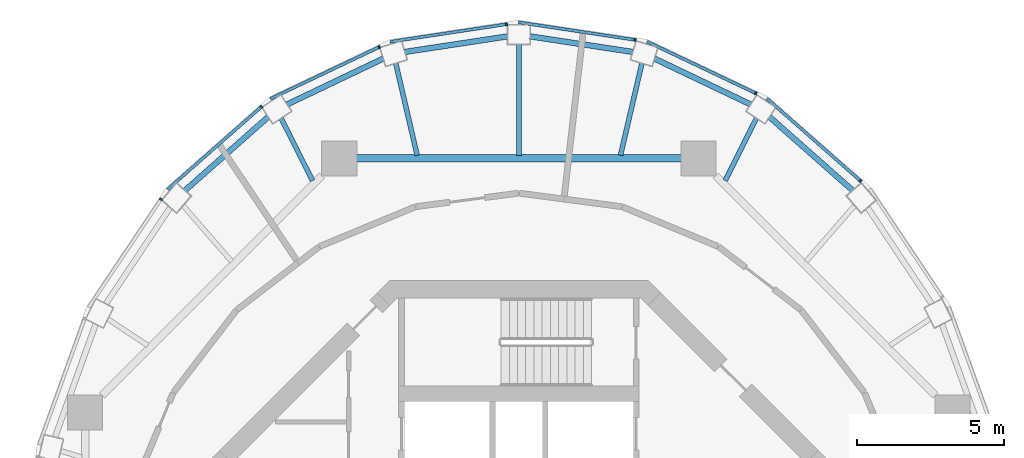
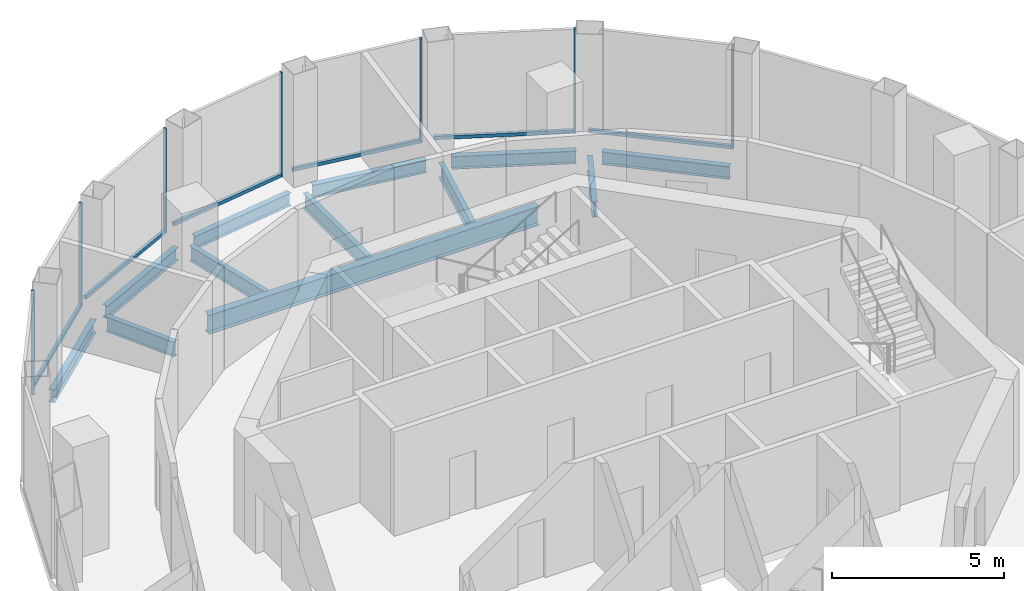
# One storey, part 6 of 12: 13 members, 12 beams, 7 elements without a shape of their own.
"""IFC4 building model written with IfcOpenShell, lengths in metres."""

from ifc_helpers import new_model, si_unit, direction, frame, origin, origin_2d, place, context, subcontext, project, spatial, rectangle, i_section, extrude, material, layer, layer_set, material_profile, profile_set, type_object, element, aggregate, save


model = new_model("IFC4")

# Units and contexts
model_context = context("Model", 3, precision=1e-05, world=origin(), true_north=direction((0.0, 1.0)))
body_context = subcontext(model_context, "Body", "Model", "MODEL_VIEW")
ifc_project = project(units=[si_unit("LENGTHUNIT", "METRE"), si_unit("AREAUNIT", "SQUARE_METRE"), si_unit("VOLUMEUNIT", "CUBIC_METRE"), si_unit("PLANEANGLEUNIT", "RADIAN"), si_unit("MASSUNIT", "GRAM", prefix="KILO")], contexts=[model_context])

# Site, building, storey
site_placement = place(None, origin())
site = spatial("IfcSite", under=ifc_project, at=site_placement, CompositionType="ELEMENT")
building_placement = place(site_placement, origin())
building = spatial("IfcBuilding", under=site, at=building_placement, Name="Nagisa Residences", CompositionType="ELEMENT")
storey_placement = place(building_placement, frame((0.0, 0.0, 328.89990234375)))
storey = spatial("IfcBuildingStorey", under=building, at=storey_placement, Name="L81", CompositionType="ELEMENT", Elevation=328.89990234375)

# Curtain wall, member
ifc_material_1 = material(Name="Aluminium curtain wall system", Category="aluminium")
ifc_layer = layer(ifc_material_1, 0.159912109375)
ifc_layer_set = layer_set([ifc_layer], Name="CW5 CURTAIN WALL")
curtain_wall_type = type_object("IfcCurtainWallType", Name="CW5 CURTAIN WALL", PredefinedType="NOTDEFINED", material=ifc_layer_set)
curtain_wall_1_placement = place(storey_placement, origin())
curtain_wall_1 = element("IfcCurtainWall", 1, at=curtain_wall_1_placement, inside=storey, type_object=curtain_wall_type, Name="cw:CW5:L81:03", PredefinedType="NOTDEFINED")
ifc_material_2 = material(Name="Aluminium", Category="aluminium")
ifc_material_profile_1 = material_profile(ifc_material_2, rectangle(XDim=0.10009765625, YDim=0.06005859375, at=origin_2d()), Name="CW5 MULLION 100x60")
ifc_profile_set_1 = profile_set([ifc_material_profile_1], Name="Aluminium")
member_type_1 = type_object("IfcMemberType", Name="CW5 MULLION 100x60", PredefinedType="MULLION", material=ifc_profile_set_1)
member_1_placement = place(storey_placement, frame((11.645263671875, 14.0126953125, 0.0), z_axis=(0.0, 0.0, 1.0), x_axis=(-0.660699467703, -0.750650526795, 0.0)))
member_1 = element("IfcMember", 2, at=member_1_placement, type_object=member_type_1, Name="CW5 mullion", PredefinedType="MULLION", context=body_context, shape_type="SweptSolid", body=[
    extrude(rectangle(XDim=0.10009765625, YDim=0.06005859375, at=origin_2d()), origin(), (0.0, 0.0, 1.0), 3.7001953125),
])

curtain_wall_2_placement = place(storey_placement, origin())
curtain_wall_2 = element("IfcCurtainWall", 3, at=curtain_wall_2_placement, inside=storey, type_object=curtain_wall_type, Name="cw:CW5:L81:04", PredefinedType="NOTDEFINED")
member_2_placement = place(storey_placement, frame((8.077392578125, 16.999755859375, 0.0), z_axis=(0.0, 0.0, 1.0), x_axis=(-0.429150642757, -0.903232929992, 0.0)))
member_2 = element("IfcMember", 4, at=member_2_placement, type_object=member_type_1, Name="CW5 mullion", PredefinedType="MULLION", context=body_context, shape_type="SweptSolid", body=[
    extrude(rectangle(XDim=0.10009765625, YDim=0.06005859375, at=origin_2d()), origin(), (0.0, 0.0, 1.0), 3.7001953125),
])

curtain_wall_3_placement = place(storey_placement, origin())
curtain_wall_3 = element("IfcCurtainWall", 5, at=curtain_wall_3_placement, inside=storey, type_object=curtain_wall_type, Name="cw:CW5:L81:05", PredefinedType="NOTDEFINED")
member_3_placement = place(storey_placement, frame((3.962890625, 18.820556640625, 0.0), z_axis=(0.0, 0.0, 1.0), x_axis=(-0.149320135997, -0.988788904158, 0.0)))
member_3 = element("IfcMember", 6, at=member_3_placement, type_object=member_type_1, Name="CW5 mullion", PredefinedType="MULLION", context=body_context, shape_type="SweptSolid", body=[
    extrude(rectangle(XDim=0.10009765625, YDim=0.06005859375, at=origin_2d()), origin(), (0.0, 0.0, 1.0), 3.7001953125),
])

curtain_wall_4_placement = place(storey_placement, origin())
curtain_wall_4 = element("IfcCurtainWall", 7, at=curtain_wall_4_placement, inside=storey, type_object=curtain_wall_type, Name="cw:CW5:L81:06", PredefinedType="NOTDEFINED")
member_4_placement = place(storey_placement, frame((-0.413330078125, 19.356689453125, 0.0), z_axis=(0.0, 0.0, 1.0), x_axis=(0.149320135997, -0.988788904158, 0.0)))
member_4 = element("IfcMember", 8, at=member_4_placement, type_object=member_type_1, Name="CW5 mullion", PredefinedType="MULLION", context=body_context, shape_type="SweptSolid", body=[
    extrude(rectangle(XDim=0.10009765625, YDim=0.06005859375, at=origin_2d()), origin(), (0.0, 0.0, 1.0), 3.7001953125),
])

curtain_wall_5_placement = place(storey_placement, origin())
curtain_wall_5 = element("IfcCurtainWall", 9, at=curtain_wall_5_placement, inside=storey, type_object=curtain_wall_type, Name="cw:CW5:L81:07", PredefinedType="NOTDEFINED")
member_5_placement = place(storey_placement, frame((-4.75390625, 18.578857421875, 0.0), z_axis=(0.0, 0.0, 1.0), x_axis=(0.429150642757, -0.903232929992, 0.0)))
member_5 = element("IfcMember", 10, at=member_5_placement, type_object=member_type_1, Name="CW5 mullion", PredefinedType="MULLION", context=body_context, shape_type="SweptSolid", body=[
    extrude(rectangle(XDim=0.10009765625, YDim=0.06005859375, at=origin_2d()), origin(), (0.0, 0.0, 1.0), 3.7001953125),
])

curtain_wall_6_placement = place(storey_placement, origin())
curtain_wall_6 = element("IfcCurtainWall", 11, at=curtain_wall_6_placement, inside=storey, type_object=curtain_wall_type, Name="cw:CW5:L81:08", PredefinedType="NOTDEFINED")
member_6_placement = place(storey_placement, frame((-8.77001953125, 16.54345703125, 0.0), z_axis=(0.0, 0.0, 1.0), x_axis=(0.660699467703, -0.750650526795, 0.0)))
member_6 = element("IfcMember", 12, at=member_6_placement, type_object=member_type_1, Name="CW5 mullion", PredefinedType="MULLION", context=body_context, shape_type="SweptSolid", body=[
    extrude(rectangle(XDim=0.10009765625, YDim=0.06005859375, at=origin_2d()), origin(), (0.0, 0.0, 1.0), 3.7001953125),
])

curtain_wall_7_placement = place(storey_placement, origin())
curtain_wall_7 = element("IfcCurtainWall", 13, at=curtain_wall_7_placement, inside=storey, type_object=curtain_wall_type, Name="cw:CW5:L81:09", PredefinedType="NOTDEFINED")
member_7_placement = place(storey_placement, frame((-12.193359375, 13.38671875, 0.0), z_axis=(0.0, 0.0, 1.0), x_axis=(0.831172662415, -0.556014393027, 0.0)))
member_7 = element("IfcMember", 14, at=member_7_placement, type_object=member_type_1, Name="CW5 mullion", PredefinedType="MULLION", context=body_context, shape_type="SweptSolid", body=[
    extrude(rectangle(XDim=0.10009765625, YDim=0.06005859375, at=origin_2d()), origin(), (0.0, 0.0, 1.0), 3.7001953125),
])
aggregate(curtain_wall_7, [member_7])

# Member
ifc_material_3 = material(Name="Aluminium", Category="aluminium")
ifc_material_profile_2 = material_profile(ifc_material_3, rectangle(XDim=0.10009765625, YDim=0.1201171875, at=origin_2d()), Name="CW5 TRANSOM 100x120")
ifc_profile_set_2 = profile_set([ifc_material_profile_2], Name="Aluminium")
member_type_2 = type_object("IfcMemberType", Name="CW5 TRANSOM 100x120", PredefinedType="USERDEFINED", material=ifc_profile_set_2)
member_8_placement = place(storey_placement, frame((11.667724609375, 13.992919921875, 0.06005859375), z_axis=(-0.750659327094, 0.660689469151, 0.0), x_axis=(-0.660689469151, -0.750659327094, 0.0)))
member_8 = element("IfcMember", 15, at=member_8_placement, type_object=member_type_2, Name="CW5 transom", ObjectType="TRANSOM", PredefinedType="USERDEFINED", context=body_context, shape_type="SweptSolid", body=[
    extrude(rectangle(XDim=0.10009765625, YDim=0.1201171875, at=origin_2d()), origin(), (0.0, 0.0, 1.0), 4.290283203125),
])

aggregate(curtain_wall_1, [member_1, member_8])

member_9_placement = place(storey_placement, frame((8.1044921875, 16.98681640625, 0.06005859375), z_axis=(-0.903246073132, 0.429122979309, 0.0), x_axis=(-0.429122979309, -0.903246073132, 0.0)))
member_9 = element("IfcMember", 16, at=member_9_placement, type_object=member_type_2, Name="CW5 transom", ObjectType="TRANSOM", PredefinedType="USERDEFINED", context=body_context, shape_type="SweptSolid", body=[
    extrude(rectangle(XDim=0.10009765625, YDim=0.1201171875, at=origin_2d()), origin(), (0.0, 0.0, 1.0), 4.1396484375),
])

aggregate(curtain_wall_2, [member_2, member_9])

member_10_placement = place(storey_placement, frame((3.992431640625, 18.816162109375, 0.06005859375), z_axis=(-0.988788172803, 0.149324978907, 0.0), x_axis=(-0.149324978907, -0.988788172803, 0.0)))
member_10 = element("IfcMember", 17, at=member_10_placement, type_object=member_type_2, Name="CW5 transom", ObjectType="TRANSOM", PredefinedType="USERDEFINED", context=body_context, shape_type="SweptSolid", body=[
    extrude(rectangle(XDim=0.10009765625, YDim=0.1201171875, at=origin_2d()), origin(), (0.0, 0.0, 1.0), 4.0498046875),
])

aggregate(curtain_wall_3, [member_3, member_10])

member_11_placement = place(storey_placement, frame((-0.383544921875, 19.361083984375, 0.06005859375), z_axis=(-0.988788172803, -0.149324978907, 0.0), x_axis=(0.149324978907, -0.988788172803, 0.0)))
member_11 = element("IfcMember", 18, at=member_11_placement, type_object=member_type_2, Name="CW5 transom", ObjectType="TRANSOM", PredefinedType="USERDEFINED", context=body_context, shape_type="SweptSolid", body=[
    extrude(rectangle(XDim=0.10009765625, YDim=0.1201171875, at=origin_2d()), origin(), (0.0, 0.0, 1.0), 4.0498046875),
])

aggregate(curtain_wall_4, [member_4, member_11])

member_12_placement = place(storey_placement, frame((-4.726806640625, 18.591552734375, 0.06005859375), z_axis=(-0.903235211694, -0.429145840426, 0.0), x_axis=(0.429145840426, -0.903235211694, 0.0)))
member_12 = element("IfcMember", 19, at=member_12_placement, type_object=member_type_2, Name="CW5 transom", ObjectType="TRANSOM", PredefinedType="USERDEFINED", context=body_context, shape_type="SweptSolid", body=[
    extrude(rectangle(XDim=0.10009765625, YDim=0.1201171875, at=origin_2d()), origin(), (0.0, 0.0, 1.0), 4.139404296875),
])

aggregate(curtain_wall_5, [member_5, member_12])

member_13_placement = place(storey_placement, frame((-8.747314453125, 16.563232421875, 0.06005859375), z_axis=(-0.750655944686, -0.66069331214, 0.0), x_axis=(0.66069331214, -0.750655944686, 0.0)))
member_13 = element("IfcMember", 20, at=member_13_placement, type_object=member_type_2, Name="CW5 transom", ObjectType="TRANSOM", PredefinedType="USERDEFINED", context=body_context, shape_type="SweptSolid", body=[
    extrude(rectangle(XDim=0.10009765625, YDim=0.1201171875, at=origin_2d()), origin(), (0.0, 0.0, 1.0), 4.29052734375),
])

aggregate(curtain_wall_6, [member_6, member_13])

# Beams
ifc_material_4 = material(Name="Steel ASTM A572 Gr 50", Category="steel")
ifc_material_profile_3 = material_profile(ifc_material_4, i_section(OverallWidth=0.2529296875, OverallDepth=0.677978515625, WebThickness=0.01171875, FlangeThickness=0.016357421875, at=origin_2d()), Name="W690x125")
ifc_profile_set_3 = profile_set([ifc_material_profile_3], Name="Steel ASTM A572 Gr 50")
beam_type_1 = type_object("IfcBeamType", Name="Inner ring beam W690x125", PredefinedType="BEAM", material=ifc_profile_set_3)
beam_1_placement = place(storey_placement, frame((5.54296875, 14.781982421875, -0.638916015625), z_axis=(-1.0, 0.0, 0.0), x_axis=(0.0, -1.0, 0.0)))
element("IfcBeam", 21, at=beam_1_placement, inside=storey, type_object=beam_type_1, Name="beam:L81:ib2", PredefinedType="BEAM", context=body_context, shape_type="SweptSolid", body=[
    extrude(i_section(OverallWidth=0.2529296875, OverallDepth=0.677978515625, WebThickness=0.01171875, FlangeThickness=0.016357421875, at=origin_2d()), origin(), (0.0, 0.0, 1.0), 11.0859375),
])
ifc_material_5 = material(Name="Steel ASTM A572 Gr 50", Category="steel")
ifc_material_profile_4 = material_profile(ifc_material_5, i_section(OverallWidth=0.18994140625, OverallDepth=0.45703125, WebThickness=0.009033203125, FlangeThickness=0.014404296875, at=origin_2d()), Name="W460x74")
ifc_profile_set_4 = profile_set([ifc_material_profile_4], Name="Steel ASTM A572 Gr 50")
beam_type_2 = type_object("IfcBeamType", Name="Perimeter ring beam W460x74", PredefinedType="BEAM", material=ifc_profile_set_4)
beam_2_placement = place(storey_placement, frame((11.3798828125, 13.68896484375, -0.5283203125), z_axis=(-0.749401876552, 0.662115418503, 0.0), x_axis=(-0.662115418503, -0.749401876552, 0.0)))
element("IfcBeam", 22, at=beam_2_placement, inside=storey, type_object=beam_type_2, Name="beam:L81:pb04", PredefinedType="BEAM", context=body_context, shape_type="SweptSolid", body=[
    extrude(i_section(OverallWidth=0.18994140625, OverallDepth=0.45703125, WebThickness=0.009033203125, FlangeThickness=0.014404296875, at=origin_2d()), origin(), (0.0, 0.0, 1.0), 3.792724609375),
])
beam_3_placement = place(storey_placement, frame((7.903564453125, 16.619873046875, -0.5283203125), z_axis=(-0.902613702305, 0.430451512266, 0.0), x_axis=(-0.430451512266, -0.902613702305, 0.0)))
element("IfcBeam", 23, at=beam_3_placement, inside=storey, type_object=beam_type_2, Name="beam:L81:pb05", PredefinedType="BEAM", context=body_context, shape_type="SweptSolid", body=[
    extrude(i_section(OverallWidth=0.18994140625, OverallDepth=0.45703125, WebThickness=0.009033203125, FlangeThickness=0.014404296875, at=origin_2d()), origin(), (0.0, 0.0, 1.0), 3.640625),
])
for number, where, z_axis, x_axis, name in (
    (24, (3.890380859375, 18.41015625, -0.5283203125), (-0.988700067025, 0.149907229525, 0.0), (-0.149907229525, -0.988700067025, 0.0), "beam:L81:pb06"),
    (25, (-0.380126953125, 18.9423828125, -0.5283203125), (-0.988700067025, -0.149907229525, 0.0), (0.149907229525, -0.988700067025, 0.0), "beam:L81:pb07"),
):
    element("IfcBeam", number, at=place(storey_placement, frame(where, z_axis=z_axis, x_axis=x_axis)), inside=storey, type_object=beam_type_2, Name=name, PredefinedType="BEAM", context=body_context, shape_type="SweptSolid", body=[
        extrude(i_section(OverallWidth=0.18994140625, OverallDepth=0.45703125, WebThickness=0.009033203125, FlangeThickness=0.014404296875, at=origin_2d()), origin(), (0.0, 0.0, 1.0), 3.55029296875),
    ])
beam_4_placement = place(storey_placement, frame((-4.617431640625, 18.18701171875, -0.5283203125), z_axis=(-0.902613702305, -0.430451512266, 0.0), x_axis=(0.430451512266, -0.902613702305, 0.0)))
element("IfcBeam", 26, at=beam_4_placement, inside=storey, type_object=beam_type_2, Name="beam:L81:pb08", PredefinedType="BEAM", context=body_context, shape_type="SweptSolid", body=[
    extrude(i_section(OverallWidth=0.18994140625, OverallDepth=0.45703125, WebThickness=0.009033203125, FlangeThickness=0.014404296875, at=origin_2d()), origin(), (0.0, 0.0, 1.0), 3.640625),
])
beam_5_placement = place(storey_placement, frame((-8.53759765625, 16.2001953125, -0.5283203125), z_axis=(-0.749401876552, -0.662115418503, 0.0), x_axis=(0.662115418503, -0.749401876552, 0.0)))
element("IfcBeam", 27, at=beam_5_placement, inside=storey, type_object=beam_type_2, Name="beam:L81:pb09", PredefinedType="BEAM", context=body_context, shape_type="SweptSolid", body=[
    extrude(i_section(OverallWidth=0.18994140625, OverallDepth=0.45703125, WebThickness=0.009033203125, FlangeThickness=0.014404296875, at=origin_2d()), origin(), (0.0, 0.0, 1.0), 3.792724609375),
])
ifc_material_6 = material(Name="Steel ASTM A572 Gr 50", Category="steel")
ifc_material_profile_5 = material_profile(ifc_material_6, i_section(OverallWidth=0.166015625, OverallDepth=0.534912109375, WebThickness=0.01025390625, FlangeThickness=0.0166015625, at=origin_2d()), Name="W530x85")
ifc_profile_set_5 = profile_set([ifc_material_profile_5], Name="Steel ASTM A572 Gr 50")
beam_type_3 = type_object("IfcBeamType", Name="Radial beam W530x85", PredefinedType="BEAM", material=ifc_profile_set_5)
beam_6_placement = place(storey_placement, frame((8.10107421875, 16.1572265625, -0.5673828125), z_axis=(-0.448236908276, -0.893914802461, 0.0), x_axis=(0.893914802461, -0.448236908276, 0.0)))
element("IfcBeam", 28, at=beam_6_placement, inside=storey, type_object=beam_type_3, Name="beam:L81:rb05", PredefinedType="BEAM", context=body_context, shape_type="SweptSolid", body=[
    extrude(i_section(OverallWidth=0.166015625, OverallDepth=0.534912109375, WebThickness=0.01025390625, FlangeThickness=0.0166015625, at=origin_2d()), origin(), (0.0, 0.0, 1.0), 2.385009765625),
])
beam_7_placement = place(storey_placement, frame((4.195556640625, 18.0302734375, -0.5673828125), z_axis=(-0.226650446588, -0.973976167604, 0.0), x_axis=(0.973976167604, -0.226650446588, 0.0)))
element("IfcBeam", 29, at=beam_7_placement, inside=storey, type_object=beam_type_3, Name="beam:L81:rb06", PredefinedType="BEAM", context=body_context, shape_type="SweptSolid", body=[
    extrude(i_section(OverallWidth=0.166015625, OverallDepth=0.534912109375, WebThickness=0.01025390625, FlangeThickness=0.0166015625, at=origin_2d()), origin(), (0.0, 0.0, 1.0), 3.22509765625),
])
beam_8_placement = place(storey_placement, frame((0.0, 18.669921875, -0.5673828125), z_axis=(0.0, -1.0, 0.0), x_axis=(1.0, 0.0, 0.0)))
element("IfcBeam", 30, at=beam_8_placement, inside=storey, type_object=beam_type_3, Name="beam:L81:rb07", PredefinedType="BEAM", context=body_context, shape_type="SweptSolid", body=[
    extrude(i_section(OverallWidth=0.166015625, OverallDepth=0.534912109375, WebThickness=0.01025390625, FlangeThickness=0.0166015625, at=origin_2d()), origin(), (0.0, 0.0, 1.0), 3.78125),
])
beam_9_placement = place(storey_placement, frame((-4.195556640625, 18.0302734375, -0.5673828125), z_axis=(0.226650446588, -0.973976167604, 0.0), x_axis=(0.973976167604, 0.226650446588, 0.0)))
element("IfcBeam", 31, at=beam_9_placement, inside=storey, type_object=beam_type_3, Name="beam:L81:rb08", PredefinedType="BEAM", context=body_context, shape_type="SweptSolid", body=[
    extrude(i_section(OverallWidth=0.166015625, OverallDepth=0.534912109375, WebThickness=0.01025390625, FlangeThickness=0.0166015625, at=origin_2d()), origin(), (0.0, 0.0, 1.0), 3.22509765625),
])
beam_10_placement = place(storey_placement, frame((-8.10107421875, 16.1572265625, -0.5673828125), z_axis=(0.448236908276, -0.893914802461, 0.0), x_axis=(0.893914802461, 0.448236908276, 0.0)))
element("IfcBeam", 32, at=beam_10_placement, inside=storey, type_object=beam_type_3, Name="beam:L81:rb09", PredefinedType="BEAM", context=body_context, shape_type="SweptSolid", body=[
    extrude(i_section(OverallWidth=0.166015625, OverallDepth=0.534912109375, WebThickness=0.01025390625, FlangeThickness=0.0166015625, at=origin_2d()), origin(), (0.0, 0.0, 1.0), 2.385009765625),
])

save(model, "model.ifc")
